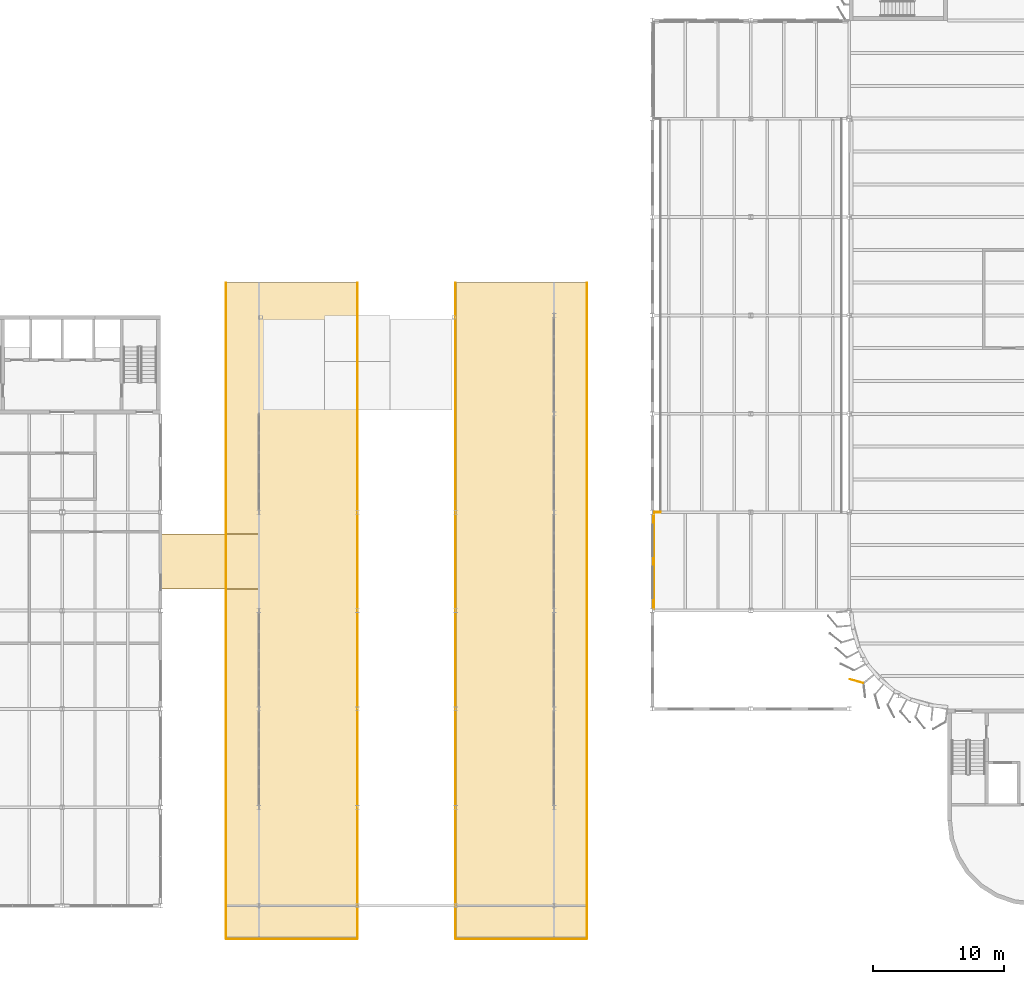
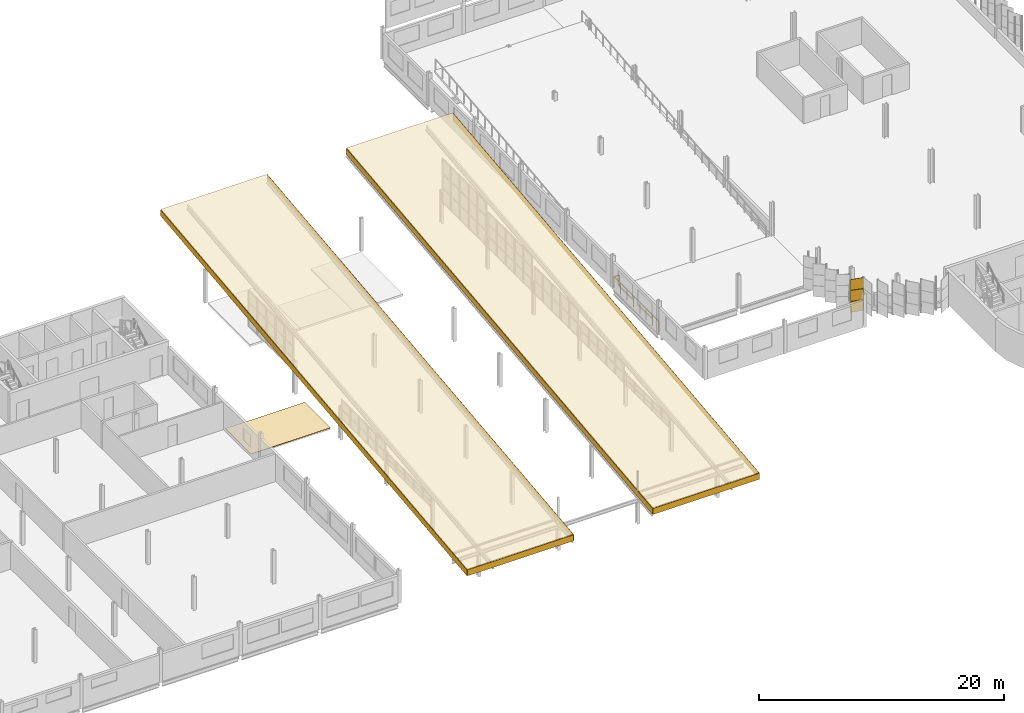
# One storey, part 185 of 199: 12 coverings, 1 railing.
"""IFC4 building model written with IfcOpenShell, lengths in metres."""

from ifc_helpers import new_model, si_unit, direction, frame, origin, origin_2d, place, context, subcontext, project, spatial, polyline, rectangle, circle, outline, extrude, material, layer, layer_set, type_object, element, save


model = new_model("IFC4")

# Units and contexts
model_context = context("Model", 3, precision=1e-05, world=origin(), true_north=direction((0.0, 1.0)))
body_context = subcontext(model_context, "Body", "Model", "MODEL_VIEW")
ifc_project = project(units=[si_unit("LENGTHUNIT", "METRE"), si_unit("AREAUNIT", "SQUARE_METRE"), si_unit("VOLUMEUNIT", "CUBIC_METRE"), si_unit("PLANEANGLEUNIT", "RADIAN"), si_unit("MASSUNIT", "GRAM", prefix="KILO")], contexts=[model_context])

# Site, building, storey
site_placement = place(None, origin())
site = spatial("IfcSite", under=ifc_project, at=site_placement, CompositionType="ELEMENT")
building_placement = place(site_placement, origin())
building = spatial("IfcBuilding", under=site, at=building_placement, Name="Parallax Yard Mobility Hub", CompositionType="ELEMENT")
storey_placement = place(building_placement, frame((0.0, 0.0, 9.89990234375)))
storey = spatial("IfcBuildingStorey", under=building, at=storey_placement, Name="L03", CompositionType="ELEMENT", Elevation=9.89990234375)

# Railing
ifc_material_1 = material(Name="Steel ASTM A36", Category="steel")
railing_type = type_object("IfcRailingType", Name="Landing edge guard 1100", PredefinedType="GUARDRAIL", material=ifc_material_1)
railing_placement = place(storey_placement, frame((180.10009765625, 30.153564453125, 0.0)))
element("IfcRailing", 1, at=railing_placement, inside=storey, type_object=railing_type, Name="Ramp house south landing west edge guard level L03", PredefinedType="GUARDRAIL", context=body_context, shape_type="SweptSolid", body=[
    extrude(circle(Radius=0.02392578125, at=origin_2d()), frame((0.0, 0.0, 1.076171875), z_axis=(0.0, 1.0, 0.0), x_axis=(-1.0, 0.0, 0.0)), (0.0, 0.0, 1.0), 7.346435546875),
    extrude(circle(Radius=0.02392578125, at=origin_2d()), frame((0.0, 7.346435546875, 1.076171875), z_axis=(1.0, 0.0, 0.0), x_axis=(0.0, 1.0, 0.0)), (0.0, 0.0, 1.0), 0.5),
    extrude(circle(Radius=0.02099609375, at=origin_2d()), origin(), (0.0, 0.0, 1.0), 1.052001953125),
    extrude(circle(Radius=0.02099609375, at=origin_2d()), frame((0.0, 1.049560546875, 0.0)), (0.0, 0.0, 1.0), 1.052001953125),
    extrude(circle(Radius=0.02099609375, at=origin_2d()), frame((0.0, 2.098876953125, 0.0)), (0.0, 0.0, 1.0), 1.052001953125),
    extrude(circle(Radius=0.02099609375, at=origin_2d()), frame((0.0, 3.1484375, 0.0)), (0.0, 0.0, 1.0), 1.052001953125),
    extrude(circle(Radius=0.02099609375, at=origin_2d()), frame((0.0, 4.197998046875, 0.0)), (0.0, 0.0, 1.0), 1.052001953125),
    extrude(circle(Radius=0.02099609375, at=origin_2d()), frame((0.0, 5.24755859375, 0.0)), (0.0, 0.0, 1.0), 1.052001953125),
    extrude(circle(Radius=0.02099609375, at=origin_2d()), frame((0.0, 6.296875, 0.0)), (0.0, 0.0, 1.0), 1.052001953125),
    extrude(circle(Radius=0.02099609375, at=origin_2d()), frame((0.0, 7.346435546875, 0.0)), (0.0, 0.0, 1.0), 1.052001953125),
    extrude(circle(Radius=0.02099609375, at=origin_2d()), frame((0.5, 7.346435546875, 0.0)), (0.0, 0.0, 1.0), 1.052001953125),
])

# Coverings
ifc_material_2 = material(Name="Aluminium composite fascia panel", Category="aluminium")
ifc_layer_1 = layer(ifc_material_2, 0.0400390625)
ifc_layer_set_1 = layer_set([ifc_layer_1], Name="Roof fascia 600")
covering_type_1 = type_object("IfcCoveringType", Name="Roof fascia 600", PredefinedType="CLADDING", material=ifc_layer_set_1)
covering_1_placement = place(storey_placement, frame((147.5, 5.0, 2.99853515625), z_axis=(0.0, 1.0, 0.0), x_axis=(1.0, 0.0, 0.0)))
element("IfcCovering", 2, at=covering_1_placement, inside=storey, type_object=covering_type_1, Name="Fascia on roof edge V5-W-PL edge 1", PredefinedType="CLADDING", context=body_context, shape_type="SweptSolid", body=[
    extrude(outline(polyline([(0.0, 0.0), (10.0, 0.0), (10.0, 0.599853515625), (0.0, 0.599853515625), (0.0, 0.0)])), origin(), (0.0, 0.0, -1.0), 0.0400390625),
])
covering_2_placement = place(storey_placement, frame((157.5, 5.0, 2.99853515625), z_axis=(-1.0, 0.0, 0.0), x_axis=(0.0, 0.993883497942, 0.110433656637)))
element("IfcCovering", 3, at=covering_2_placement, inside=storey, type_object=covering_type_1, Name="Fascia on roof edge V5-W-PL edge 2", PredefinedType="CLADDING", context=body_context, shape_type="SweptSolid", body=[
    extrude(outline(polyline([(0.0, 0.0), (50.307707194577596, 0.0), (50.241436216058865, 0.5964271577006812), (-0.06624401717678155, 0.596184510362316), (0.0, 0.0)])), origin(), (0.0, 0.0, -1.0), 0.0400390625),
])
covering_3_placement = place(storey_placement, frame((147.5, 55.0, 8.55419921875), z_axis=(1.0, 0.0, 0.0), x_axis=(0.0, -0.993883497942, -0.110433656637)))
element("IfcCovering", 4, at=covering_3_placement, inside=storey, type_object=covering_type_1, Name="Fascia on roof edge V5-W-PL edge 4", PredefinedType="CLADDING", context=body_context, shape_type="SweptSolid", body=[
    extrude(outline(polyline([(0.0, 0.0), (50.307707194577596, 0.0), (50.37395121175438, 0.596184510362316), (0.06627097851873384, 0.5964271577006808), (0.0, 0.0)])), origin(), (0.0, 0.0, -1.0), 0.0400390625),
])
covering_4_placement = place(storey_placement, frame((165.0, 5.0, 2.99853515625), z_axis=(0.0, 1.0, 0.0), x_axis=(1.0, 0.0, 0.0)))
element("IfcCovering", 5, at=covering_4_placement, inside=storey, type_object=covering_type_1, Name="Fascia on roof edge V5-E-PL edge 1", PredefinedType="CLADDING", context=body_context, shape_type="SweptSolid", body=[
    extrude(outline(polyline([(0.0, 0.0), (10.0, 0.0), (10.0, 0.599853515625), (0.0, 0.599853515625), (0.0, 0.0)])), origin(), (0.0, 0.0, -1.0), 0.0400390625),
])
covering_5_placement = place(storey_placement, frame((175.0, 5.0, 2.99853515625), z_axis=(-1.0, 0.0, 0.0), x_axis=(0.0, 0.993883497942, 0.110433656637)))
element("IfcCovering", 6, at=covering_5_placement, inside=storey, type_object=covering_type_1, Name="Fascia on roof edge V5-E-PL edge 2", PredefinedType="CLADDING", context=body_context, shape_type="SweptSolid", body=[
    extrude(outline(polyline([(0.0, 0.0), (50.307707194577596, 0.0), (50.241436216058865, 0.5964271577006812), (-0.06624401717678155, 0.596184510362316), (0.0, 0.0)])), origin(), (0.0, 0.0, -1.0), 0.0400390625),
])
covering_6_placement = place(storey_placement, frame((165.0, 55.0, 8.55419921875), z_axis=(1.0, 0.0, 0.0), x_axis=(0.0, -0.993883497942, -0.110433656637)))
element("IfcCovering", 7, at=covering_6_placement, inside=storey, type_object=covering_type_1, Name="Fascia on roof edge V5-E-PL edge 4", PredefinedType="CLADDING", context=body_context, shape_type="SweptSolid", body=[
    extrude(outline(polyline([(0.0, 0.0), (50.307707194577596, 0.0), (50.37395121175438, 0.596184510362316), (0.06627097851873384, 0.5964271577006808), (0.0, 0.0)])), origin(), (0.0, 0.0, -1.0), 0.0400390625),
])
ifc_material_3 = material(Name="Aluminium panel, champagne finish", Category="aluminium")
ifc_layer_2 = layer(ifc_material_3, 0.030029296875)
ifc_layer_set_2 = layer_set([ifc_layer_2], Name="Skin panel 35 degree turn, champagne finish")
covering_type_2 = type_object("IfcCoveringType", Name="Skin panel 35 degree turn, champagne finish", PredefinedType="CLADDING", material=ifc_layer_set_2)
covering_7_placement = place(storey_placement, frame((195.556884765625, 24.615478515625, 0.02001953125), z_axis=(0.0, 0.0, 1.0), x_axis=(-0.963045136708, 0.269340053953, 0.0)))
element("IfcCovering", 8, at=covering_7_placement, inside=storey, type_object=covering_type_2, Name="Skin panel 35 bay 30.5 row 1 level L03", ObjectType="SCREEN", PredefinedType="CLADDING", context=body_context, shape_type="SweptSolid", body=[
    extrude(rectangle(XDim=1.080078125, YDim=0.030029296875, at=origin_2d()), origin(), (0.0, 0.0, 1.0), 1.080078125),
])
ifc_material_4 = material(Name="Aluminium panel, silver anodised", Category="aluminium")
ifc_layer_3 = layer(ifc_material_4, 0.030029296875)
ifc_layer_set_3 = layer_set([ifc_layer_3], Name="Skin panel 35 degree turn, silver anodised")
covering_type_3 = type_object("IfcCoveringType", Name="Skin panel 35 degree turn, silver anodised", PredefinedType="CLADDING", material=ifc_layer_set_3)
for number, where, z_axis, x_axis, name in (
    (9, (195.556884765625, 24.615478515625, 1.1201171875), (0.0, 0.0, 1.0), (-0.963045136708, 0.269340053953, 0.0), "Skin panel 35 bay 30.5 row 2 level L03"),
    (10, (195.556884765625, 24.615478515625, 2.219970703125), (0.0, 0.0, 1.0), (-0.963045136708, 0.269340053953, 0.0), "Skin panel 35 bay 30.5 row 3 level L03"),
):
    element("IfcCovering", number, at=place(storey_placement, frame(where, z_axis=z_axis, x_axis=x_axis)), inside=storey, type_object=covering_type_3, Name=name, ObjectType="SCREEN", PredefinedType="CLADDING", context=body_context, shape_type="SweptSolid", body=[
        extrude(rectangle(XDim=1.080078125, YDim=0.030029296875, at=origin_2d()), origin(), (0.0, 0.0, 1.0), 1.080078125),
    ])
ifc_material_5 = material(Name="Aluminium-zinc coated standing seam sheeting", Category="aluminium")
ifc_layer_4 = layer(ifc_material_5, 0.0400390625)
ifc_layer_set_4 = layer_set([ifc_layer_4], Name="Standing seam roof sheeting 40")
covering_type_4 = type_object("IfcCoveringType", Name="Standing seam roof sheeting 40", PredefinedType="ROOFING", material=ifc_layer_set_4)
for number, where, z_axis, x_axis, name in (
    (11, (147.5, 5.0, 3.038818359375), (0.0, -0.110428862871, 0.993884030582), (1.0, 0.0, 0.0), "Roof sheeting on roof plate V5-W-PL"),
    (12, (165.0, 5.0, 3.038818359375), (0.0, -0.110428862871, 0.993884030582), (1.0, 0.0, 0.0), "Roof sheeting on roof plate V5-E-PL"),
):
    element("IfcCovering", number, at=place(storey_placement, frame(where, z_axis=z_axis, x_axis=x_axis)), inside=storey, type_object=covering_type_4, Name=name, PredefinedType="ROOFING", context=body_context, shape_type="SweptSolid", body=[
        extrude(outline(polyline([(0.0, 0.0), (10.0, 0.0), (10.0, 50.30768023382081), (0.0, 50.30768023382081), (0.0, 0.0)])), origin(), (0.0, 0.0, -1.0), 0.0400390625),
    ])
covering_8_placement = place(storey_placement, frame((142.5, 31.64990234375, 0.109130859375), z_axis=(0.0, 0.0, 1.0), x_axis=(1.0, 0.0, 0.0)))
element("IfcCovering", 13, at=covering_8_placement, inside=storey, type_object=covering_type_4, Name="Roof sheeting on roof plate BR-BR3-RF", PredefinedType="ROOFING", context=body_context, shape_type="SweptSolid", body=[
    extrude(outline(polyline([(0.0, 0.0), (7.5, 0.0), (7.5, 4.2001953125), (0.0, 4.2001953125), (0.0, 0.0)])), origin(), (0.0, 0.0, -1.0), 0.0400390625),
])

save(model, "model.ifc")
